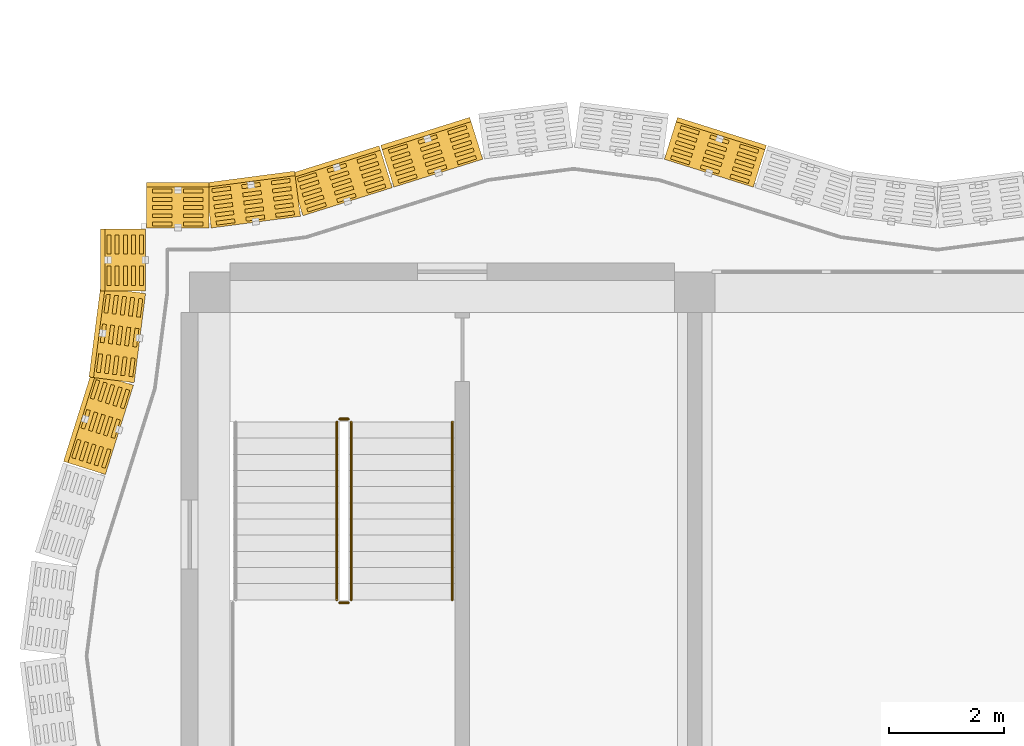
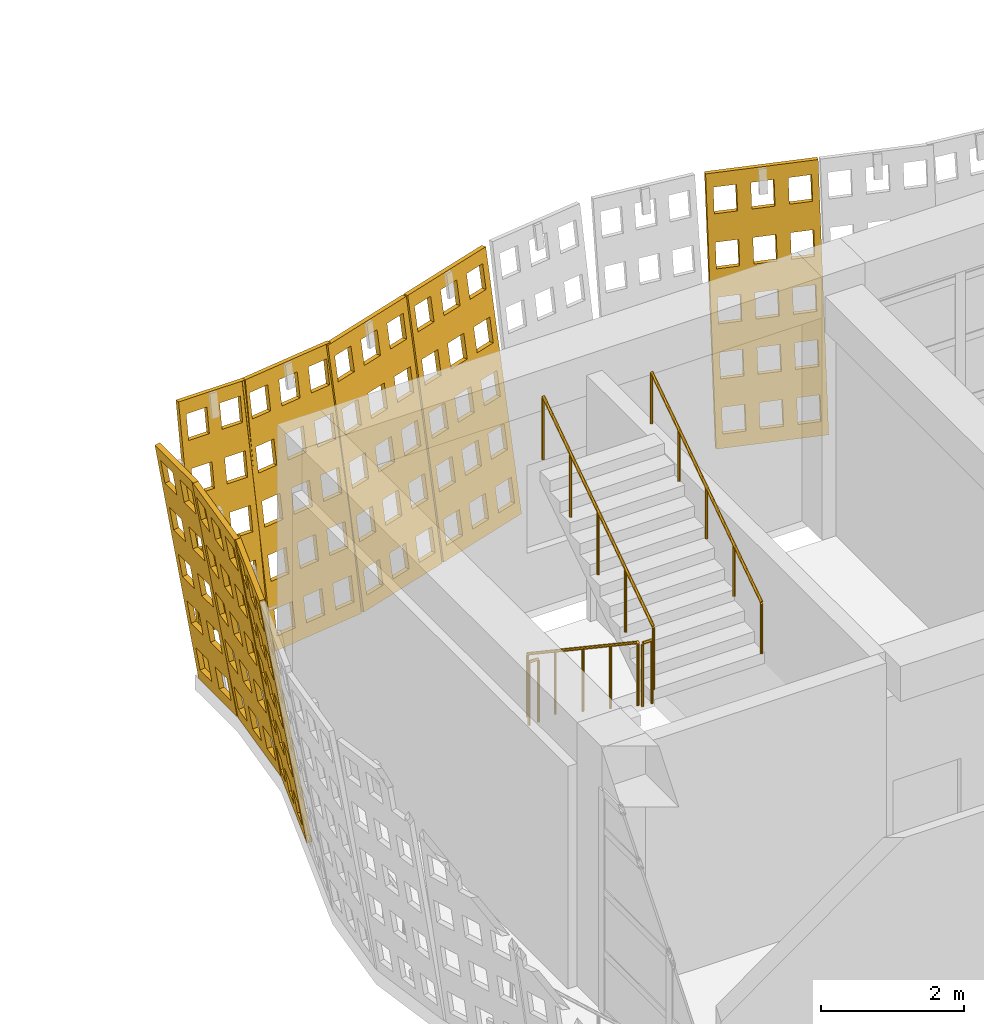
# One storey, part 158 of 163: 8 coverings, 5 railings.
"""IFC4 building model written with IfcOpenShell, lengths in metres."""

from ifc_helpers import new_model, si_unit, direction, frame, origin, origin_2d, place, context, subcontext, project, spatial, polyline, circle, outline, extrude, material, layer, layer_set, type_object, element, save


model = new_model("IFC4")

# Units and contexts
model_context = context("Model", 3, precision=1e-05, world=origin(), true_north=direction((0.0, 1.0)))
body_context = subcontext(model_context, "Body", "Model", "MODEL_VIEW")
ifc_project = project(units=[si_unit("LENGTHUNIT", "METRE"), si_unit("AREAUNIT", "SQUARE_METRE"), si_unit("VOLUMEUNIT", "CUBIC_METRE"), si_unit("PLANEANGLEUNIT", "RADIAN"), si_unit("MASSUNIT", "GRAM", prefix="KILO")], contexts=[model_context])

# Site, building, storey
site_placement = place(None, origin())
site = spatial("IfcSite", under=ifc_project, at=site_placement, CompositionType="ELEMENT")
building_placement = place(site_placement, origin())
building = spatial("IfcBuilding", under=site, at=building_placement, Name="Rain Tree Exposition and Congress Centre", CompositionType="ELEMENT")
storey_placement = place(building_placement, frame((0.0, 0.0, 10.5)))
storey = spatial("IfcBuildingStorey", under=building, at=storey_placement, Name="L02", CompositionType="ELEMENT", Elevation=10.5)

# Coverings
ifc_material_1 = material(Name="Perforated terracotta", Category="masonry")
ifc_layer = layer(ifc_material_1, 0.080078125)
ifc_layer_set = layer_set([ifc_layer], Name="Perforated terracotta")
covering_type = type_object("IfcCoveringType", Name="Terracotta screen 80", PredefinedType="CLADDING", material=ifc_layer_set)
covering_1_placement = place(storey_placement, frame((9.449951171875, 52.28759765625, 0.0), z_axis=(-0.295717964052, -0.942029390639, 0.158529217842), x_axis=(0.954094597562, -0.29950542383, 0.0)))
element("IfcCovering", 1, at=covering_1_placement, inside=storey, type_object=covering_type, Name="wing/screen/L02/095", PredefinedType="CLADDING", context=body_context, shape_type="SweptSolid", body=[
    extrude(outline(polyline([(-1.62890625, 0.0), (-1.62890625, 4.291259765625), (-0.014892578125, 4.291259765625), (-0.014892578125, 0.0), (-1.62890625, 0.0)]), holes=[polyline([(-0.1171875, 0.221435546875), (-0.1171875, 0.63671875), (-0.45068359375, 0.63671875), (-0.45068359375, 0.221435546875), (-0.1171875, 0.221435546875)]), polyline([(-0.1171875, 1.07958984375), (-0.1171875, 1.4951171875), (-0.45068359375, 1.4951171875), (-0.45068359375, 1.07958984375), (-0.1171875, 1.07958984375)]), polyline([(-0.1171875, 1.93798828125), (-0.1171875, 2.353271484375), (-0.45068359375, 2.353271484375), (-0.45068359375, 1.93798828125), (-0.1171875, 1.93798828125)]), polyline([(-0.1171875, 2.796142578125), (-0.1171875, 3.21142578125), (-0.45068359375, 3.21142578125), (-0.45068359375, 2.796142578125), (-0.1171875, 2.796142578125)]), polyline([(-0.1171875, 3.654541015625), (-0.1171875, 4.06982421875), (-0.45068359375, 4.06982421875), (-0.45068359375, 3.654541015625), (-0.1171875, 3.654541015625)]), polyline([(-0.6552734375, 0.221435546875), (-0.6552734375, 0.63671875), (-0.98876953125, 0.63671875), (-0.98876953125, 0.221435546875), (-0.6552734375, 0.221435546875)]), polyline([(-0.6552734375, 1.07958984375), (-0.6552734375, 1.4951171875), (-0.98876953125, 1.4951171875), (-0.98876953125, 1.07958984375), (-0.6552734375, 1.07958984375)]), polyline([(-0.6552734375, 1.93798828125), (-0.6552734375, 2.353271484375), (-0.98876953125, 2.353271484375), (-0.98876953125, 1.93798828125), (-0.6552734375, 1.93798828125)]), polyline([(-0.6552734375, 2.796142578125), (-0.6552734375, 3.21142578125), (-0.98876953125, 3.21142578125), (-0.98876953125, 2.796142578125), (-0.6552734375, 2.796142578125)]), polyline([(-0.6552734375, 3.654541015625), (-0.6552734375, 4.06982421875), (-0.98876953125, 4.06982421875), (-0.98876953125, 3.654541015625), (-0.6552734375, 3.654541015625)]), polyline([(-1.193115234375, 0.221435546875), (-1.193115234375, 0.63671875), (-1.526611328125, 0.63671875), (-1.526611328125, 0.221435546875), (-1.193115234375, 0.221435546875)]), polyline([(-1.193115234375, 1.07958984375), (-1.193115234375, 1.4951171875), (-1.526611328125, 1.4951171875), (-1.526611328125, 1.07958984375), (-1.193115234375, 1.07958984375)]), polyline([(-1.193115234375, 1.93798828125), (-1.193115234375, 2.353271484375), (-1.526611328125, 2.353271484375), (-1.526611328125, 1.93798828125), (-1.193115234375, 1.93798828125)]), polyline([(-1.193115234375, 2.796142578125), (-1.193115234375, 3.21142578125), (-1.526611328125, 3.21142578125), (-1.526611328125, 2.796142578125), (-1.193115234375, 2.796142578125)]), polyline([(-1.193115234375, 3.654541015625), (-1.193115234375, 4.06982421875), (-1.526611328125, 4.06982421875), (-1.526611328125, 3.654541015625), (-1.193115234375, 3.654541015625)])]), origin(), (0.0, 0.0, 1.0), 0.080078125),
])
covering_2_placement = place(storey_placement, frame((4.72509765625, 52.78271484375, 0.0), z_axis=(0.295717964052, -0.942029390639, 0.158529217842), x_axis=(0.954094597562, 0.29950542383, 0.0)))
element("IfcCovering", 2, at=covering_2_placement, inside=storey, type_object=covering_type, Name="wing/screen/L02/098", PredefinedType="CLADDING", context=body_context, shape_type="SweptSolid", body=[
    extrude(outline(polyline([(-1.635986328125, 0.0), (-1.635986328125, 4.291259765625), (-0.02197265625, 4.291259765625), (-0.02197265625, 0.0), (-1.635986328125, 0.0)]), holes=[polyline([(-0.124267578125, 0.221435546875), (-0.124267578125, 0.63671875), (-0.457763671875, 0.63671875), (-0.457763671875, 0.221435546875), (-0.124267578125, 0.221435546875)]), polyline([(-0.124267578125, 1.07958984375), (-0.124267578125, 1.4951171875), (-0.457763671875, 1.4951171875), (-0.457763671875, 1.07958984375), (-0.124267578125, 1.07958984375)]), polyline([(-0.124267578125, 1.93798828125), (-0.124267578125, 2.353271484375), (-0.457763671875, 2.353271484375), (-0.457763671875, 1.93798828125), (-0.124267578125, 1.93798828125)]), polyline([(-0.124267578125, 2.796142578125), (-0.124267578125, 3.21142578125), (-0.457763671875, 3.21142578125), (-0.457763671875, 2.796142578125), (-0.124267578125, 2.796142578125)]), polyline([(-0.124267578125, 3.654541015625), (-0.124267578125, 4.06982421875), (-0.457763671875, 4.06982421875), (-0.457763671875, 3.654541015625), (-0.124267578125, 3.654541015625)]), polyline([(-0.662109375, 0.221435546875), (-0.662109375, 0.63671875), (-0.995849609375, 0.63671875), (-0.995849609375, 0.221435546875), (-0.662109375, 0.221435546875)]), polyline([(-0.662109375, 1.07958984375), (-0.662109375, 1.4951171875), (-0.995849609375, 1.4951171875), (-0.995849609375, 1.07958984375), (-0.662109375, 1.07958984375)]), polyline([(-0.662109375, 1.93798828125), (-0.662109375, 2.353271484375), (-0.995849609375, 2.353271484375), (-0.995849609375, 1.93798828125), (-0.662109375, 1.93798828125)]), polyline([(-0.662109375, 2.796142578125), (-0.662109375, 3.21142578125), (-0.995849609375, 3.21142578125), (-0.995849609375, 2.796142578125), (-0.662109375, 2.796142578125)]), polyline([(-0.662109375, 3.654541015625), (-0.662109375, 4.06982421875), (-0.995849609375, 4.06982421875), (-0.995849609375, 3.654541015625), (-0.662109375, 3.654541015625)]), polyline([(-1.2001953125, 0.221435546875), (-1.2001953125, 0.63671875), (-1.53369140625, 0.63671875), (-1.53369140625, 0.221435546875), (-1.2001953125, 0.221435546875)]), polyline([(-1.2001953125, 1.07958984375), (-1.2001953125, 1.4951171875), (-1.53369140625, 1.4951171875), (-1.53369140625, 1.07958984375), (-1.2001953125, 1.07958984375)]), polyline([(-1.2001953125, 1.93798828125), (-1.2001953125, 2.353271484375), (-1.53369140625, 2.353271484375), (-1.53369140625, 1.93798828125), (-1.2001953125, 1.93798828125)]), polyline([(-1.2001953125, 2.796142578125), (-1.2001953125, 3.21142578125), (-1.53369140625, 3.21142578125), (-1.53369140625, 2.796142578125), (-1.2001953125, 2.796142578125)]), polyline([(-1.2001953125, 3.654541015625), (-1.2001953125, 4.06982421875), (-1.53369140625, 4.06982421875), (-1.53369140625, 3.654541015625), (-1.2001953125, 3.654541015625)])]), origin(), (0.0, 0.0, 1.0), 0.080078125),
])
covering_3_placement = place(storey_placement, frame((3.14990234375, 52.28759765625, 0.0), z_axis=(0.295717964052, -0.942029390639, 0.158529217842), x_axis=(0.954094597562, 0.29950542383, 0.0)))
element("IfcCovering", 3, at=covering_3_placement, inside=storey, type_object=covering_type, Name="wing/screen/L02/099", PredefinedType="CLADDING", context=body_context, shape_type="SweptSolid", body=[
    extrude(outline(polyline([(-1.635986328125, 0.0), (-1.635986328125, 4.291259765625), (-0.014892578125, 4.291259765625), (-0.014892578125, 0.0), (-1.635986328125, 0.0)]), holes=[polyline([(-0.11767578125, 0.221435546875), (-0.11767578125, 0.63671875), (-0.45263671875, 0.63671875), (-0.45263671875, 0.221435546875), (-0.11767578125, 0.221435546875)]), polyline([(-0.11767578125, 1.07958984375), (-0.11767578125, 1.4951171875), (-0.45263671875, 1.4951171875), (-0.45263671875, 1.07958984375), (-0.11767578125, 1.07958984375)]), polyline([(-0.11767578125, 1.93798828125), (-0.11767578125, 2.353271484375), (-0.45263671875, 2.353271484375), (-0.45263671875, 1.93798828125), (-0.11767578125, 1.93798828125)]), polyline([(-0.11767578125, 2.796142578125), (-0.11767578125, 3.21142578125), (-0.45263671875, 3.21142578125), (-0.45263671875, 2.796142578125), (-0.11767578125, 2.796142578125)]), polyline([(-0.11767578125, 3.654541015625), (-0.11767578125, 4.06982421875), (-0.45263671875, 4.06982421875), (-0.45263671875, 3.654541015625), (-0.11767578125, 3.654541015625)]), polyline([(-0.657958984375, 0.221435546875), (-0.657958984375, 0.63671875), (-0.992919921875, 0.63671875), (-0.992919921875, 0.221435546875), (-0.657958984375, 0.221435546875)]), polyline([(-0.657958984375, 1.07958984375), (-0.657958984375, 1.4951171875), (-0.992919921875, 1.4951171875), (-0.992919921875, 1.07958984375), (-0.657958984375, 1.07958984375)]), polyline([(-0.657958984375, 1.93798828125), (-0.657958984375, 2.353271484375), (-0.992919921875, 2.353271484375), (-0.992919921875, 1.93798828125), (-0.657958984375, 1.93798828125)]), polyline([(-0.657958984375, 2.796142578125), (-0.657958984375, 3.21142578125), (-0.992919921875, 3.21142578125), (-0.992919921875, 2.796142578125), (-0.657958984375, 2.796142578125)]), polyline([(-0.657958984375, 3.654541015625), (-0.657958984375, 4.06982421875), (-0.992919921875, 4.06982421875), (-0.992919921875, 3.654541015625), (-0.657958984375, 3.654541015625)]), polyline([(-1.1982421875, 0.221435546875), (-1.1982421875, 0.63671875), (-1.533203125, 0.63671875), (-1.533203125, 0.221435546875), (-1.1982421875, 0.221435546875)]), polyline([(-1.1982421875, 1.07958984375), (-1.1982421875, 1.4951171875), (-1.533203125, 1.4951171875), (-1.533203125, 1.07958984375), (-1.1982421875, 1.07958984375)]), polyline([(-1.1982421875, 1.93798828125), (-1.1982421875, 2.353271484375), (-1.533203125, 2.353271484375), (-1.533203125, 1.93798828125), (-1.1982421875, 1.93798828125)]), polyline([(-1.1982421875, 2.796142578125), (-1.1982421875, 3.21142578125), (-1.533203125, 3.21142578125), (-1.533203125, 2.796142578125), (-1.1982421875, 2.796142578125)]), polyline([(-1.1982421875, 3.654541015625), (-1.1982421875, 4.06982421875), (-1.533203125, 4.06982421875), (-1.533203125, 3.654541015625), (-1.1982421875, 3.654541015625)])]), origin(), (0.0, 0.0, 1.0), 0.080078125),
])
covering_4_placement = place(storey_placement, frame((1.574951171875, 51.79248046875, 0.0), z_axis=(0.128349774249, -0.9779030419, 0.165021138321), x_axis=(0.991496427865, 0.130133906157, 0.0)))
element("IfcCovering", 4, at=covering_4_placement, inside=storey, type_object=covering_type, Name="wing/screen/L02/100", PredefinedType="CLADDING", context=body_context, shape_type="SweptSolid", body=[
    extrude(outline(polyline([(-1.5732421875, 0.0), (-1.5732421875, 4.295166015625), (-0.014892578125, 4.295166015625), (-0.014892578125, 0.0), (-1.5732421875, 0.0)]), holes=[polyline([(-0.11376953125, 0.2216796875), (-0.11376953125, 0.63720703125), (-0.435791015625, 0.63720703125), (-0.435791015625, 0.2216796875), (-0.11376953125, 0.2216796875)]), polyline([(-0.11376953125, 1.080810546875), (-0.11376953125, 1.496337890625), (-0.435791015625, 1.496337890625), (-0.435791015625, 1.080810546875), (-0.11376953125, 1.080810546875)]), polyline([(-0.11376953125, 1.939697265625), (-0.11376953125, 2.35546875), (-0.435791015625, 2.35546875), (-0.435791015625, 1.939697265625), (-0.11376953125, 1.939697265625)]), polyline([(-0.11376953125, 2.798583984375), (-0.11376953125, 3.21435546875), (-0.435791015625, 3.21435546875), (-0.435791015625, 2.798583984375), (-0.11376953125, 2.798583984375)]), polyline([(-0.11376953125, 3.65771484375), (-0.11376953125, 4.073486328125), (-0.435791015625, 4.073486328125), (-0.435791015625, 3.65771484375), (-0.11376953125, 3.65771484375)]), polyline([(-0.633056640625, 0.2216796875), (-0.633056640625, 0.63720703125), (-0.955078125, 0.63720703125), (-0.955078125, 0.2216796875), (-0.633056640625, 0.2216796875)]), polyline([(-0.633056640625, 1.080810546875), (-0.633056640625, 1.496337890625), (-0.955078125, 1.496337890625), (-0.955078125, 1.080810546875), (-0.633056640625, 1.080810546875)]), polyline([(-0.633056640625, 1.939697265625), (-0.633056640625, 2.35546875), (-0.955078125, 2.35546875), (-0.955078125, 1.939697265625), (-0.633056640625, 1.939697265625)]), polyline([(-0.633056640625, 2.798583984375), (-0.633056640625, 3.21435546875), (-0.955078125, 3.21435546875), (-0.955078125, 2.798583984375), (-0.633056640625, 2.798583984375)]), polyline([(-0.633056640625, 3.65771484375), (-0.633056640625, 4.073486328125), (-0.955078125, 4.073486328125), (-0.955078125, 3.65771484375), (-0.633056640625, 3.65771484375)]), polyline([(-1.152587890625, 0.2216796875), (-1.152587890625, 0.63720703125), (-1.474609375, 0.63720703125), (-1.474609375, 0.2216796875), (-1.152587890625, 0.2216796875)]), polyline([(-1.152587890625, 1.080810546875), (-1.152587890625, 1.496337890625), (-1.474609375, 1.496337890625), (-1.474609375, 1.080810546875), (-1.152587890625, 1.080810546875)]), polyline([(-1.152587890625, 1.939697265625), (-1.152587890625, 2.35546875), (-1.474609375, 2.35546875), (-1.474609375, 1.939697265625), (-1.152587890625, 1.939697265625)]), polyline([(-1.152587890625, 2.798583984375), (-1.152587890625, 3.21435546875), (-1.474609375, 3.21435546875), (-1.474609375, 2.798583984375), (-1.152587890625, 2.798583984375)]), polyline([(-1.152587890625, 3.65771484375), (-1.152587890625, 4.073486328125), (-1.474609375, 4.073486328125), (-1.474609375, 3.65771484375), (-1.152587890625, 3.65771484375)])]), origin(), (0.0, 0.0, 1.0), 0.079833984375),
])
covering_5_placement = place(storey_placement, frame((0.0, 51.587646484375, 0.0), z_axis=(0.0, -0.986311269939, 0.1648941442), x_axis=(1.0, 0.0, 0.0)))
element("IfcCovering", 5, at=covering_5_placement, inside=storey, type_object=covering_type, Name="wing/screen/L02/101", PredefinedType="CLADDING", context=body_context, shape_type="SweptSolid", body=[
    extrude(outline(polyline([(-1.092529296875, 0.0), (-1.092529296875, 4.2958984375), (-0.014892578125, 4.2958984375), (-0.014892578125, 0.0), (-1.092529296875, 0.0)]), holes=[polyline([(-0.117431640625, 0.2216796875), (-0.117431640625, 0.637451171875), (-0.451416015625, 0.637451171875), (-0.451416015625, 0.2216796875), (-0.117431640625, 0.2216796875)]), polyline([(-0.117431640625, 1.080810546875), (-0.117431640625, 1.49658203125), (-0.451416015625, 1.49658203125), (-0.451416015625, 1.080810546875), (-0.117431640625, 1.080810546875)]), polyline([(-0.117431640625, 1.940185546875), (-0.117431640625, 2.355712890625), (-0.451416015625, 2.355712890625), (-0.451416015625, 1.940185546875), (-0.117431640625, 1.940185546875)]), polyline([(-0.117431640625, 2.79931640625), (-0.117431640625, 3.215087890625), (-0.451416015625, 3.215087890625), (-0.451416015625, 2.79931640625), (-0.117431640625, 2.79931640625)]), polyline([(-0.117431640625, 3.658447265625), (-0.117431640625, 4.07421875), (-0.451416015625, 4.07421875), (-0.451416015625, 3.658447265625), (-0.117431640625, 3.658447265625)]), polyline([(-0.65625, 0.2216796875), (-0.65625, 0.637451171875), (-0.990234375, 0.637451171875), (-0.990234375, 0.2216796875), (-0.65625, 0.2216796875)]), polyline([(-0.65625, 1.080810546875), (-0.65625, 1.49658203125), (-0.990234375, 1.49658203125), (-0.990234375, 1.080810546875), (-0.65625, 1.080810546875)]), polyline([(-0.65625, 1.940185546875), (-0.65625, 2.355712890625), (-0.990234375, 2.355712890625), (-0.990234375, 1.940185546875), (-0.65625, 1.940185546875)]), polyline([(-0.65625, 2.79931640625), (-0.65625, 3.215087890625), (-0.990234375, 3.215087890625), (-0.990234375, 2.79931640625), (-0.65625, 2.79931640625)]), polyline([(-0.65625, 3.658447265625), (-0.65625, 4.07421875), (-0.990234375, 4.07421875), (-0.990234375, 3.658447265625), (-0.65625, 3.658447265625)])]), origin(), (0.0, 0.0, 1.0), 0.079833984375),
])
covering_6_placement = place(storey_placement, frame((-1.1875, 51.587646484375, 0.0), z_axis=(0.986311269939, 0.0, 0.1648941442), x_axis=(0.0, 1.0, 0.0)))
element("IfcCovering", 6, at=covering_6_placement, inside=storey, type_object=covering_type, Name="wing/screen/L02/102", PredefinedType="CLADDING", context=body_context, shape_type="SweptSolid", body=[
    extrude(outline(polyline([(-1.172607421875, 0.0), (-1.172607421875, 4.2958984375), (-0.094970703125, 4.2958984375), (-0.094970703125, 0.0), (-1.172607421875, 0.0)]), holes=[polyline([(-0.197509765625, 0.2216796875), (-0.197509765625, 0.637451171875), (-0.531494140625, 0.637451171875), (-0.531494140625, 0.2216796875), (-0.197509765625, 0.2216796875)]), polyline([(-0.197509765625, 1.080810546875), (-0.197509765625, 1.49658203125), (-0.531494140625, 1.49658203125), (-0.531494140625, 1.080810546875), (-0.197509765625, 1.080810546875)]), polyline([(-0.197509765625, 1.940185546875), (-0.197509765625, 2.355712890625), (-0.531494140625, 2.355712890625), (-0.531494140625, 1.940185546875), (-0.197509765625, 1.940185546875)]), polyline([(-0.197509765625, 2.79931640625), (-0.197509765625, 3.215087890625), (-0.531494140625, 3.215087890625), (-0.531494140625, 2.79931640625), (-0.197509765625, 2.79931640625)]), polyline([(-0.197509765625, 3.658447265625), (-0.197509765625, 4.07421875), (-0.531494140625, 4.07421875), (-0.531494140625, 3.658447265625), (-0.197509765625, 3.658447265625)]), polyline([(-0.736083984375, 0.2216796875), (-0.736083984375, 0.637451171875), (-1.0703125, 0.637451171875), (-1.0703125, 0.2216796875), (-0.736083984375, 0.2216796875)]), polyline([(-0.736083984375, 1.080810546875), (-0.736083984375, 1.49658203125), (-1.0703125, 1.49658203125), (-1.0703125, 1.080810546875), (-0.736083984375, 1.080810546875)]), polyline([(-0.736083984375, 1.940185546875), (-0.736083984375, 2.355712890625), (-1.0703125, 2.355712890625), (-1.0703125, 1.940185546875), (-0.736083984375, 1.940185546875)]), polyline([(-0.736083984375, 2.79931640625), (-0.736083984375, 3.215087890625), (-1.0703125, 3.215087890625), (-1.0703125, 2.79931640625), (-0.736083984375, 2.79931640625)]), polyline([(-0.736083984375, 3.658447265625), (-0.736083984375, 4.07421875), (-1.0703125, 4.07421875), (-1.0703125, 3.658447265625), (-0.736083984375, 3.658447265625)])]), origin(), (0.0, 0.0, 1.0), 0.079833984375),
])
covering_7_placement = place(storey_placement, frame((-1.1875, 50.39990234375, 0.0), z_axis=(0.978282259159, -0.125342414455, 0.165085131233), x_axis=(0.127086122318, 0.991891686382, 0.0)))
element("IfcCovering", 7, at=covering_7_placement, inside=storey, type_object=covering_type, Name="wing/screen/L02/103", PredefinedType="CLADDING", context=body_context, shape_type="SweptSolid", body=[
    extrude(outline(polyline([(-1.5732421875, 0.0), (-1.5732421875, 4.295166015625), (-0.014892578125, 4.295166015625), (-0.014892578125, 0.0), (-1.5732421875, 0.0)]), holes=[polyline([(-0.11376953125, 0.2216796875), (-0.11376953125, 0.63720703125), (-0.435791015625, 0.63720703125), (-0.435791015625, 0.2216796875), (-0.11376953125, 0.2216796875)]), polyline([(-0.11376953125, 1.080810546875), (-0.11376953125, 1.496337890625), (-0.435791015625, 1.496337890625), (-0.435791015625, 1.080810546875), (-0.11376953125, 1.080810546875)]), polyline([(-0.11376953125, 1.939697265625), (-0.11376953125, 2.35546875), (-0.435791015625, 2.35546875), (-0.435791015625, 1.939697265625), (-0.11376953125, 1.939697265625)]), polyline([(-0.11376953125, 2.798583984375), (-0.11376953125, 3.21435546875), (-0.435791015625, 3.21435546875), (-0.435791015625, 2.798583984375), (-0.11376953125, 2.798583984375)]), polyline([(-0.11376953125, 3.65771484375), (-0.11376953125, 4.073486328125), (-0.435791015625, 4.073486328125), (-0.435791015625, 3.65771484375), (-0.11376953125, 3.65771484375)]), polyline([(-0.633056640625, 0.2216796875), (-0.633056640625, 0.63720703125), (-0.955078125, 0.63720703125), (-0.955078125, 0.2216796875), (-0.633056640625, 0.2216796875)]), polyline([(-0.633056640625, 1.080810546875), (-0.633056640625, 1.496337890625), (-0.955078125, 1.496337890625), (-0.955078125, 1.080810546875), (-0.633056640625, 1.080810546875)]), polyline([(-0.633056640625, 1.939697265625), (-0.633056640625, 2.35546875), (-0.955078125, 2.35546875), (-0.955078125, 1.939697265625), (-0.633056640625, 1.939697265625)]), polyline([(-0.633056640625, 2.798583984375), (-0.633056640625, 3.21435546875), (-0.955078125, 3.21435546875), (-0.955078125, 2.798583984375), (-0.633056640625, 2.798583984375)]), polyline([(-0.633056640625, 3.65771484375), (-0.633056640625, 4.073486328125), (-0.955078125, 4.073486328125), (-0.955078125, 3.65771484375), (-0.633056640625, 3.65771484375)]), polyline([(-1.152587890625, 0.2216796875), (-1.152587890625, 0.63720703125), (-1.474609375, 0.63720703125), (-1.474609375, 0.2216796875), (-1.152587890625, 0.2216796875)]), polyline([(-1.152587890625, 1.080810546875), (-1.152587890625, 1.496337890625), (-1.474609375, 1.496337890625), (-1.474609375, 1.080810546875), (-1.152587890625, 1.080810546875)]), polyline([(-1.152587890625, 1.939697265625), (-1.152587890625, 2.35546875), (-1.474609375, 2.35546875), (-1.474609375, 1.939697265625), (-1.152587890625, 1.939697265625)]), polyline([(-1.152587890625, 2.798583984375), (-1.152587890625, 3.21435546875), (-1.474609375, 3.21435546875), (-1.474609375, 2.798583984375), (-1.152587890625, 2.798583984375)]), polyline([(-1.152587890625, 3.65771484375), (-1.152587890625, 4.073486328125), (-1.474609375, 4.073486328125), (-1.474609375, 3.65771484375), (-1.152587890625, 3.65771484375)])]), origin(), (0.0, 0.0, 1.0), 0.079833984375),
])
covering_8_placement = place(storey_placement, frame((-1.392578125, 48.824951171875, 0.0), z_axis=(0.942029390639, -0.295717964052, 0.158529217842), x_axis=(0.29950542383, 0.954094597562, 0.0)))
element("IfcCovering", 8, at=covering_8_placement, inside=storey, type_object=covering_type, Name="wing/screen/L02/104", PredefinedType="CLADDING", context=body_context, shape_type="SweptSolid", body=[
    extrude(outline(polyline([(-1.635986328125, 0.0), (-1.635986328125, 4.291259765625), (-0.014892578125, 4.291259765625), (-0.014892578125, 0.0), (-1.635986328125, 0.0)]), holes=[polyline([(-0.11767578125, 0.221435546875), (-0.11767578125, 0.63671875), (-0.45263671875, 0.63671875), (-0.45263671875, 0.221435546875), (-0.11767578125, 0.221435546875)]), polyline([(-0.11767578125, 1.07958984375), (-0.11767578125, 1.4951171875), (-0.45263671875, 1.4951171875), (-0.45263671875, 1.07958984375), (-0.11767578125, 1.07958984375)]), polyline([(-0.11767578125, 1.93798828125), (-0.11767578125, 2.353271484375), (-0.45263671875, 2.353271484375), (-0.45263671875, 1.93798828125), (-0.11767578125, 1.93798828125)]), polyline([(-0.11767578125, 2.796142578125), (-0.11767578125, 3.21142578125), (-0.45263671875, 3.21142578125), (-0.45263671875, 2.796142578125), (-0.11767578125, 2.796142578125)]), polyline([(-0.11767578125, 3.654541015625), (-0.11767578125, 4.06982421875), (-0.45263671875, 4.06982421875), (-0.45263671875, 3.654541015625), (-0.11767578125, 3.654541015625)]), polyline([(-0.657958984375, 0.221435546875), (-0.657958984375, 0.63671875), (-0.992919921875, 0.63671875), (-0.992919921875, 0.221435546875), (-0.657958984375, 0.221435546875)]), polyline([(-0.657958984375, 1.07958984375), (-0.657958984375, 1.4951171875), (-0.992919921875, 1.4951171875), (-0.992919921875, 1.07958984375), (-0.657958984375, 1.07958984375)]), polyline([(-0.657958984375, 1.93798828125), (-0.657958984375, 2.353271484375), (-0.992919921875, 2.353271484375), (-0.992919921875, 1.93798828125), (-0.657958984375, 1.93798828125)]), polyline([(-0.657958984375, 2.796142578125), (-0.657958984375, 3.21142578125), (-0.992919921875, 3.21142578125), (-0.992919921875, 2.796142578125), (-0.657958984375, 2.796142578125)]), polyline([(-0.657958984375, 3.654541015625), (-0.657958984375, 4.06982421875), (-0.992919921875, 4.06982421875), (-0.992919921875, 3.654541015625), (-0.657958984375, 3.654541015625)]), polyline([(-1.1982421875, 0.221435546875), (-1.1982421875, 0.63671875), (-1.533203125, 0.63671875), (-1.533203125, 0.221435546875), (-1.1982421875, 0.221435546875)]), polyline([(-1.1982421875, 1.07958984375), (-1.1982421875, 1.4951171875), (-1.533203125, 1.4951171875), (-1.533203125, 1.07958984375), (-1.1982421875, 1.07958984375)]), polyline([(-1.1982421875, 1.93798828125), (-1.1982421875, 2.353271484375), (-1.533203125, 2.353271484375), (-1.533203125, 1.93798828125), (-1.1982421875, 1.93798828125)]), polyline([(-1.1982421875, 2.796142578125), (-1.1982421875, 3.21142578125), (-1.533203125, 3.21142578125), (-1.533203125, 2.796142578125), (-1.1982421875, 2.796142578125)]), polyline([(-1.1982421875, 3.654541015625), (-1.1982421875, 4.06982421875), (-1.533203125, 4.06982421875), (-1.533203125, 3.654541015625), (-1.1982421875, 3.654541015625)])]), origin(), (0.0, 0.0, 1.0), 0.080078125),
])

# Railings
ifc_material_2 = material(Name="Steel S355J2H", Category="steel")
railing_type_1 = type_object("IfcRailingType", Name="Wing stair guard 1100", PredefinedType="GUARDRAIL", material=ifc_material_2)
railing_1_placement = place(storey_placement, frame((2.199951171875, 48.14990234375, 0.1875)))
element("IfcRailing", 9, at=railing_1_placement, inside=storey, type_object=railing_type_1, Name="L02 ST-W3 stair guard 1", PredefinedType="GUARDRAIL", context=body_context, shape_type="SweptSolid", body=[
    extrude(circle(Radius=0.02392578125, at=origin_2d()), frame((0.0, 0.0, 1.076171875), z_axis=(0.0, -0.830893310487, 0.556431762742), x_axis=(1.0, 0.0, 0.0)), (0.0, 0.0, 1.0), 3.70654296875),
    extrude(circle(Radius=0.02099609375, at=origin_2d()), origin(), (0.0, 0.0, 1.0), 1.052001953125),
    extrude(circle(Radius=0.02099609375, at=origin_2d()), frame((0.0, -0.77001953125, 0.515625)), (0.0, 0.0, 1.0), 1.052001953125),
    extrude(circle(Radius=0.02099609375, at=origin_2d()), frame((0.0, -1.5400390625, 1.03125)), (0.0, 0.0, 1.0), 1.052001953125),
    extrude(circle(Radius=0.02099609375, at=origin_2d()), frame((0.0, -2.309814453125, 1.546875)), (0.0, 0.0, 1.0), 1.052001953125),
    extrude(circle(Radius=0.02099609375, at=origin_2d()), frame((0.0, -3.079833984375, 2.0625)), (0.0, 0.0, 1.0), 1.052001953125),
])
railing_2_placement = place(storey_placement, frame((2.25, 45.02001953125, 2.25)))
element("IfcRailing", 10, at=railing_2_placement, inside=storey, type_object=railing_type_1, Name="L02 ST-W3 stair guard 2", PredefinedType="GUARDRAIL", context=body_context, shape_type="SweptSolid", body=[
    extrude(circle(Radius=0.02392578125, at=origin_2d()), frame((0.0, 0.0, 1.076171875), z_axis=(1.0, 0.0, 0.0), x_axis=(0.0, 1.0, 0.0)), (0.0, 0.0, 1.0), 0.14990234375),
    extrude(circle(Radius=0.02099609375, at=origin_2d()), origin(), (0.0, 0.0, 1.0), 1.052001953125),
    extrude(circle(Radius=0.02099609375, at=origin_2d()), frame((0.14990234375, 0.0, 0.0)), (0.0, 0.0, 1.0), 1.052001953125),
])
railing_3_placement = place(storey_placement, frame((2.449951171875, 45.070068359375, 2.4375)))
element("IfcRailing", 11, at=railing_3_placement, inside=storey, type_object=railing_type_1, Name="L02 ST-W3 stair guard 3", PredefinedType="GUARDRAIL", context=body_context, shape_type="SweptSolid", body=[
    extrude(circle(Radius=0.02392578125, at=origin_2d()), frame((0.0, 0.0, 1.076171875), z_axis=(0.0, 0.830893310487, 0.556431762742), x_axis=(-1.0, 0.0, 0.0)), (0.0, 0.0, 1.0), 3.70654296875),
    extrude(circle(Radius=0.02099609375, at=origin_2d()), origin(), (0.0, 0.0, 1.0), 1.052001953125),
    extrude(circle(Radius=0.02099609375, at=origin_2d()), frame((0.0, 0.77001953125, 0.515625)), (0.0, 0.0, 1.0), 1.052001953125),
    extrude(circle(Radius=0.02099609375, at=origin_2d()), frame((0.0, 1.5400390625, 1.03125)), (0.0, 0.0, 1.0), 1.052001953125),
    extrude(circle(Radius=0.02099609375, at=origin_2d()), frame((0.0, 2.309814453125, 1.546875)), (0.0, 0.0, 1.0), 1.052001953125),
    extrude(circle(Radius=0.02099609375, at=origin_2d()), frame((0.0, 3.079833984375, 2.0625)), (0.0, 0.0, 1.0), 1.052001953125),
])
railing_4_placement = place(storey_placement, frame((2.25, 48.199951171875, 0.0)))
element("IfcRailing", 12, at=railing_4_placement, inside=storey, type_object=railing_type_1, Name="L02 ST-W3 stair guard 4", PredefinedType="GUARDRAIL", context=body_context, shape_type="SweptSolid", body=[
    extrude(circle(Radius=0.02392578125, at=origin_2d()), frame((0.0, 0.0, 1.076171875), z_axis=(1.0, 0.0, 0.0), x_axis=(0.0, 1.0, 0.0)), (0.0, 0.0, 1.0), 0.14990234375),
    extrude(circle(Radius=0.02099609375, at=origin_2d()), origin(), (0.0, 0.0, 1.0), 1.052001953125),
    extrude(circle(Radius=0.02099609375, at=origin_2d()), frame((0.14990234375, 0.0, 0.0)), (0.0, 0.0, 1.0), 1.052001953125),
])
ifc_material_3 = material(Name="Steel S355J2H", Category="steel")
railing_type_2 = type_object("IfcRailingType", Name="Wing stair handrail 900", PredefinedType="HANDRAIL", material=ifc_material_3)
railing_5_placement = place(storey_placement, frame((4.199951171875, 45.070068359375, 2.4375)))
element("IfcRailing", 13, at=railing_5_placement, inside=storey, type_object=railing_type_2, Name="L02 ST-W3 stair handrail 2", PredefinedType="HANDRAIL", context=body_context, shape_type="SweptSolid", body=[
    extrude(circle(Radius=0.02392578125, at=origin_2d()), frame((0.0, 0.0, 0.8759765625), z_axis=(0.0, 0.830893310487, 0.556431762742), x_axis=(-1.0, 0.0, 0.0)), (0.0, 0.0, 1.0), 3.70654296875),
    extrude(circle(Radius=0.02099609375, at=origin_2d()), origin(), (0.0, 0.0, 1.0), 0.851806640625),
    extrude(circle(Radius=0.02099609375, at=origin_2d()), frame((0.0, 0.77001953125, 0.515625)), (0.0, 0.0, 1.0), 0.851806640625),
    extrude(circle(Radius=0.02099609375, at=origin_2d()), frame((0.0, 1.5400390625, 1.03125)), (0.0, 0.0, 1.0), 0.851806640625),
    extrude(circle(Radius=0.02099609375, at=origin_2d()), frame((0.0, 2.309814453125, 1.546875)), (0.0, 0.0, 1.0), 0.851806640625),
    extrude(circle(Radius=0.02099609375, at=origin_2d()), frame((0.0, 3.079833984375, 2.0625)), (0.0, 0.0, 1.0), 0.851806640625),
])

save(model, "model.ifc")
